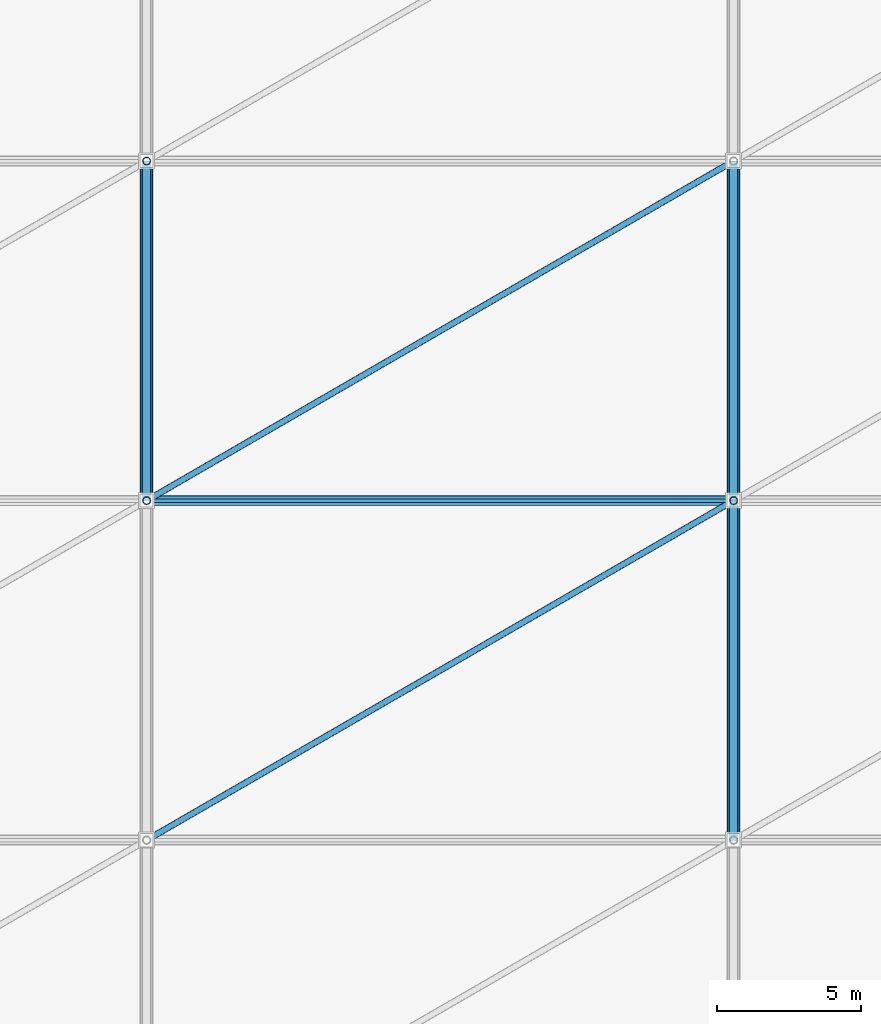
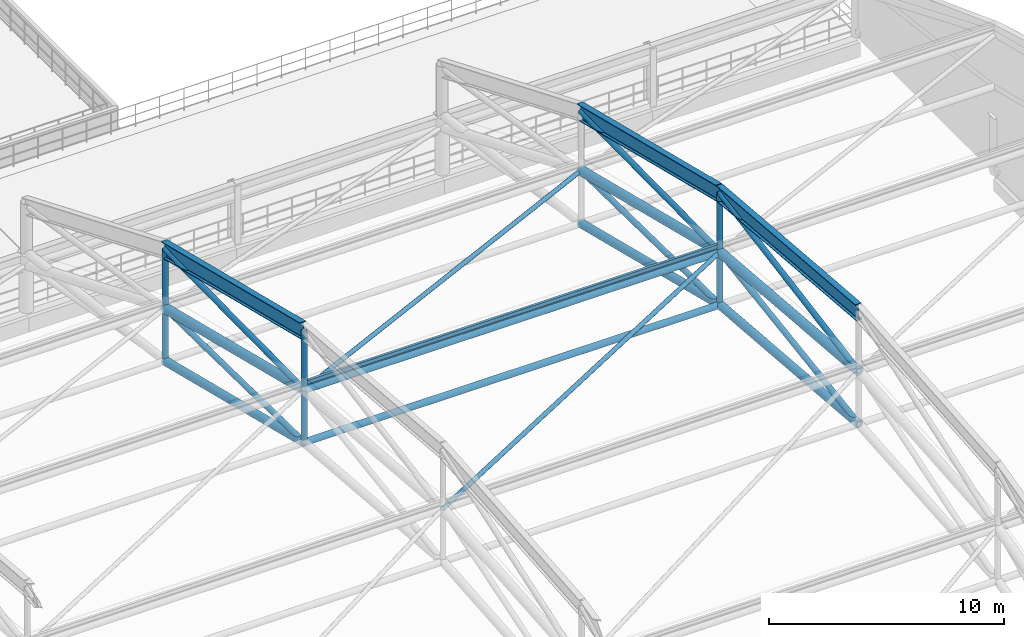
# One storey, part 41 of 135: 23 members, 3 beams.
"""IFC4 building model written with IfcOpenShell, lengths in metres."""

from ifc_helpers import new_model, si_unit, direction, frame, origin, origin_2d, place, context, subcontext, project, spatial, hollow_circle, i_section, extrude, material, material_profile, profile_set, type_object, element, save


model = new_model("IFC4")

# Units and contexts
model_context = context("Model", 3, precision=1e-05, world=origin(), true_north=direction((0.0, 1.0)))
body_context = subcontext(model_context, "Body", "Model", "MODEL_VIEW")
ifc_project = project(units=[si_unit("LENGTHUNIT", "METRE"), si_unit("AREAUNIT", "SQUARE_METRE"), si_unit("VOLUMEUNIT", "CUBIC_METRE"), si_unit("PLANEANGLEUNIT", "RADIAN"), si_unit("MASSUNIT", "GRAM", prefix="KILO")], contexts=[model_context])

# Site, building, storey
site_placement = place(None, origin())
site = spatial("IfcSite", under=ifc_project, at=site_placement, CompositionType="ELEMENT")
building_placement = place(site_placement, origin())
building = spatial("IfcBuilding", under=site, at=building_placement, Name="Brelvane Convention Centre", CompositionType="ELEMENT")
storey_placement = place(building_placement, frame((0.0, 0.0, 15.0)))
storey = spatial("IfcBuildingStorey", under=building, at=storey_placement, Name="L03", CompositionType="ELEMENT", Elevation=15.0)

# Beams
ifc_material_1 = material(Name="Steel E450 (450 MPa)", Category="steel")
ifc_material_profile_1 = material_profile(ifc_material_1, i_section(OverallWidth=0.300048828125, OverallDepth=0.800048828125, WebThickness=0.015380859375, FlangeThickness=0.030029296875, FilletRadius=0.027099609375, at=origin_2d()), Name="NPB 800x300")
ifc_profile_set_1 = profile_set([ifc_material_profile_1], Name="Steel E450 (450 MPa)")
beam_type = type_object("IfcBeamType", Name="Steel Beam B-ST2 (NPB 800x300)", PredefinedType="BEAM", material=ifc_profile_set_1)
beam_1_placement = place(storey_placement, frame((102.0, 76.0, 13.22216796875), z_axis=(0.0, 0.970464083196, -0.241245649134), x_axis=(-1.0, 0.0, 0.0)))
element("IfcBeam", 1, at=beam_1_placement, inside=storey, type_object=beam_type, Name="EXO_EXH Exoskeletal Arch Girder 6.5", PredefinedType="BEAM", context=body_context, shape_type="SweptSolid", body=[
    extrude(i_section(OverallWidth=0.300048828125, OverallDepth=0.800048828125, WebThickness=0.015380859375, FlangeThickness=0.030029296875, FilletRadius=0.027099609375, at=origin_2d()), origin(), (0.0, 0.0, 1.0), 12.1591796875),
])
beam_2_placement = place(storey_placement, frame((122.39990234375, 64.199951171875, 14.199951171875), z_axis=(0.0, 0.996584470208, -0.082579620615), x_axis=(-1.0, 0.0, 0.0)))
element("IfcBeam", 2, at=beam_2_placement, inside=storey, type_object=beam_type, Name="EXO_EXH Exoskeletal Arch Girder 7.4", PredefinedType="BEAM", context=body_context, shape_type="SweptSolid", body=[
    extrude(i_section(OverallWidth=0.300048828125, OverallDepth=0.800048828125, WebThickness=0.015380859375, FlangeThickness=0.030029296875, FilletRadius=0.027099609375, at=origin_2d()), origin(), (0.0, 0.0, 1.0), 11.840576171875),
])
beam_3_placement = place(storey_placement, frame((122.39990234375, 76.0, 13.22216796875), z_axis=(0.0, 0.970464083196, -0.241245649134), x_axis=(-1.0, 0.0, 0.0)))
element("IfcBeam", 3, at=beam_3_placement, inside=storey, type_object=beam_type, Name="EXO_EXH Exoskeletal Arch Girder 7.5", PredefinedType="BEAM", context=body_context, shape_type="SweptSolid", body=[
    extrude(i_section(OverallWidth=0.300048828125, OverallDepth=0.800048828125, WebThickness=0.015380859375, FlangeThickness=0.030029296875, FilletRadius=0.027099609375, at=origin_2d()), origin(), (0.0, 0.0, 1.0), 12.1591796875),
])

# Members
ifc_material_2 = material(Name="Steel E350 (350 MPa)", Category="steel")
ifc_material_profile_2 = material_profile(ifc_material_2, hollow_circle(Radius=0.136474609375, WallThickness=0.012451171875, at=origin_2d()), Name="CHS 273.0x12.5")
ifc_profile_set_2 = profile_set([ifc_material_profile_2], Name="Steel E350 (350 MPa)")
member_type_1 = type_object("IfcMemberType", Name="Steel Brace SF-DG1 (CHS 273.0x12.5)", PredefinedType="BRACE", material=ifc_profile_set_2)
member_1_placement = place(storey_placement, frame((102.0, 76.0, 7.422119140625), z_axis=(0.0, 0.99986610997, -0.016363438913), x_axis=(-1.0, 0.0, 0.0)))
element("IfcMember", 4, at=member_1_placement, inside=storey, type_object=member_type_1, Name="SF_EXH Space-Frame Web Diagonal D6.5", PredefinedType="BRACE", context=body_context, shape_type="SweptSolid", body=[
    extrude(hollow_circle(Radius=0.136474609375, WallThickness=0.012451171875, at=origin_2d()), origin(), (0.0, 0.0, 1.0), 11.801513671875),
])
member_2_placement = place(storey_placement, frame((122.39990234375, 64.199951171875, 8.39990234375), z_axis=(0.0, 0.989032056502, 0.147701019672), x_axis=(-1.0, 0.0, 0.0)))
element("IfcMember", 5, at=member_2_placement, inside=storey, type_object=member_type_1, Name="SF_EXH Space-Frame Web Diagonal D7.4", PredefinedType="BRACE", context=body_context, shape_type="SweptSolid", body=[
    extrude(hollow_circle(Radius=0.136474609375, WallThickness=0.012451171875, at=origin_2d()), origin(), (0.0, 0.0, 1.0), 11.930908203125),
])
member_3_placement = place(storey_placement, frame((122.39990234375, 76.0, 7.422119140625), z_axis=(0.0, 0.99986610997, -0.016363438913), x_axis=(-1.0, 0.0, 0.0)))
element("IfcMember", 6, at=member_3_placement, inside=storey, type_object=member_type_1, Name="SF_EXH Space-Frame Web Diagonal D7.5", PredefinedType="BRACE", context=body_context, shape_type="SweptSolid", body=[
    extrude(hollow_circle(Radius=0.136474609375, WallThickness=0.012451171875, at=origin_2d()), origin(), (0.0, 0.0, 1.0), 11.801513671875),
])
member_4_placement = place(storey_placement, frame((102.0, 76.0, 10.162109375), z_axis=(0.0, 0.999942352609, 0.010737386072), x_axis=(-1.0, 0.0, 0.0)))
element("IfcMember", 7, at=member_4_placement, inside=storey, type_object=member_type_1, Name="EXO_EXH Exoskeletal Arch Web 6.5", PredefinedType="BRACE", context=body_context, shape_type="SweptSolid", body=[
    extrude(hollow_circle(Radius=0.136474609375, WallThickness=0.012451171875, at=origin_2d()), origin(), (0.0, 0.0, 1.0), 11.80078125),
])
member_5_placement = place(storey_placement, frame((122.39990234375, 64.199951171875, 11.139892578125), z_axis=(0.0, 0.984784789498, 0.173778359912), x_axis=(-1.0, 0.0, 0.0)))
element("IfcMember", 8, at=member_5_placement, inside=storey, type_object=member_type_1, Name="EXO_EXH Exoskeletal Arch Web 7.4", PredefinedType="BRACE", context=body_context, shape_type="SweptSolid", body=[
    extrude(hollow_circle(Radius=0.136474609375, WallThickness=0.012451171875, at=origin_2d()), origin(), (0.0, 0.0, 1.0), 11.982421875),
])
member_6_placement = place(storey_placement, frame((122.39990234375, 76.0, 10.162109375), z_axis=(0.0, 0.999942352609, 0.010737386072), x_axis=(-1.0, 0.0, 0.0)))
element("IfcMember", 9, at=member_6_placement, inside=storey, type_object=member_type_1, Name="EXO_EXH Exoskeletal Arch Web 7.5", PredefinedType="BRACE", context=body_context, shape_type="SweptSolid", body=[
    extrude(hollow_circle(Radius=0.136474609375, WallThickness=0.012451171875, at=origin_2d()), origin(), (0.0, 0.0, 1.0), 11.80078125),
])
ifc_material_3 = material(Name="Steel E350 (350 MPa)", Category="steel")
ifc_material_profile_3 = material_profile(ifc_material_3, hollow_circle(Radius=0.109619140625, WallThickness=0.010009765625, at=origin_2d()), Name="CHS 219.1x10.0")
ifc_profile_set_3 = profile_set([ifc_material_profile_3], Name="Steel E350 (350 MPa)")
member_type_2 = type_object("IfcMemberType", Name="Steel Brace SF-DG2 (CHS 219.1x10.0)", PredefinedType="BRACE", material=ifc_profile_set_3)
member_7_placement = place(storey_placement, frame((102.0, 64.199951171875, 11.139892578125), z_axis=(0.864873882245, 0.500274651745, -0.041454078585), x_axis=(-0.500705052683, 0.865617958581, 0.0)))
element("IfcMember", 10, at=member_7_placement, inside=storey, type_object=member_type_2, Name="SF_EXH Roof Diaphragm Brace PB6.4", PredefinedType="BRACE", context=body_context, shape_type="SweptSolid", body=[
    extrude(hollow_circle(Radius=0.109619140625, WallThickness=0.010009765625, at=origin_2d()), origin(), (0.0, 0.0, 1.0), 23.587158203125),
])
member_8_placement = place(storey_placement, frame((102.0, 76.0, 10.162109375), z_axis=(0.85899063749, 0.496871568034, -0.123505990076), x_axis=(-0.500705052683, 0.865617958581, 0.0)))
element("IfcMember", 11, at=member_8_placement, inside=storey, type_object=member_type_2, Name="SF_EXH Roof Diaphragm Brace PB6.5", PredefinedType="BRACE", context=body_context, shape_type="SweptSolid", body=[
    extrude(hollow_circle(Radius=0.109619140625, WallThickness=0.010009765625, at=origin_2d()), origin(), (0.0, 0.0, 1.0), 23.748779296875),
])
ifc_material_4 = material(Name="Steel E450 (450 MPa)", Category="steel")
ifc_material_profile_4 = material_profile(ifc_material_4, hollow_circle(Radius=0.203125, WallThickness=0.01611328125, at=origin_2d()), Name="CHS 406.4x16.0")
ifc_profile_set_4 = profile_set([ifc_material_profile_4], Name="Steel E450 (450 MPa)")
member_type_3 = type_object("IfcMemberType", Name="Steel Chord SF-BC1 (CHS 406.4x16.0)", PredefinedType="CHORD", material=ifc_profile_set_4)
member_9_placement = place(storey_placement, frame((102.0, 76.0, 7.422119140625), z_axis=(0.0, 0.970468783866, -0.241226738861), x_axis=(-1.0, 0.0, 0.0)))
element("IfcMember", 12, at=member_9_placement, inside=storey, type_object=member_type_3, Name="SF_EXH Space-Frame Bottom Chord B6.5", PredefinedType="CHORD", context=body_context, shape_type="SweptSolid", body=[
    extrude(hollow_circle(Radius=0.203125, WallThickness=0.01611328125, at=origin_2d()), origin(), (0.0, 0.0, 1.0), 12.1591796875),
])
member_10_placement = place(storey_placement, frame((122.39990234375, 64.199951171875, 8.39990234375), z_axis=(0.0, 0.996584470208, -0.082579620615), x_axis=(-1.0, 0.0, 0.0)))
element("IfcMember", 13, at=member_10_placement, inside=storey, type_object=member_type_3, Name="SF_EXH Space-Frame Bottom Chord B7.4", PredefinedType="CHORD", context=body_context, shape_type="SweptSolid", body=[
    extrude(hollow_circle(Radius=0.203125, WallThickness=0.01611328125, at=origin_2d()), origin(), (0.0, 0.0, 1.0), 11.840576171875),
])
member_11_placement = place(storey_placement, frame((122.39990234375, 76.0, 7.422119140625), z_axis=(0.0, 0.970468783866, -0.241226738861), x_axis=(-1.0, 0.0, 0.0)))
element("IfcMember", 14, at=member_11_placement, inside=storey, type_object=member_type_3, Name="SF_EXH Space-Frame Bottom Chord B7.5", PredefinedType="CHORD", context=body_context, shape_type="SweptSolid", body=[
    extrude(hollow_circle(Radius=0.203125, WallThickness=0.01611328125, at=origin_2d()), origin(), (0.0, 0.0, 1.0), 12.1591796875),
])
ifc_material_5 = material(Name="Steel E350 (350 MPa)", Category="steel")
ifc_material_profile_5 = material_profile(ifc_material_5, hollow_circle(Radius=0.161865234375, WallThickness=0.012451171875, at=origin_2d()), Name="CHS 323.9x12.5")
ifc_profile_set_5 = profile_set([ifc_material_profile_5], Name="Steel E350 (350 MPa)")
member_type_4 = type_object("IfcMemberType", Name="Steel Chord SF-BC2 (CHS 323.9x12.5)", PredefinedType="CHORD", material=ifc_profile_set_5)
member_12_placement = place(storey_placement, frame((102.0, 76.0, 7.422119140625), z_axis=(1.0, 0.0, 0.0), x_axis=(0.0, 1.0, 0.0)))
element("IfcMember", 15, at=member_12_placement, inside=storey, type_object=member_type_4, Name="SF_EXH Longitudinal Bottom Chord LB6.5", PredefinedType="CHORD", context=body_context, shape_type="SweptSolid", body=[
    extrude(hollow_circle(Radius=0.161865234375, WallThickness=0.012451171875, at=origin_2d()), origin(), (0.0, 0.0, 1.0), 20.39990234375),
])
ifc_material_6 = material(Name="Steel E450 (450 MPa)", Category="steel")
ifc_material_profile_6 = material_profile(ifc_material_6, hollow_circle(Radius=0.228515625, WallThickness=0.02001953125, at=origin_2d()), Name="CHS 457.0x20.0")
ifc_profile_set_6 = profile_set([ifc_material_profile_6], Name="Steel E450 (450 MPa)")
member_type_5 = type_object("IfcMemberType", Name="Steel Chord SF-TC1 (CHS 457.0x20.0)", PredefinedType="CHORD", material=ifc_profile_set_6)
member_13_placement = place(storey_placement, frame((102.0, 76.0, 10.162109375), z_axis=(0.0, 0.970468783866, -0.241226738861), x_axis=(-1.0, 0.0, 0.0)))
element("IfcMember", 16, at=member_13_placement, inside=storey, type_object=member_type_5, Name="SF_EXH Space-Frame Top Chord T6.5", PredefinedType="CHORD", context=body_context, shape_type="SweptSolid", body=[
    extrude(hollow_circle(Radius=0.228515625, WallThickness=0.02001953125, at=origin_2d()), origin(), (0.0, 0.0, 1.0), 12.1591796875),
])
member_14_placement = place(storey_placement, frame((122.39990234375, 64.199951171875, 11.139892578125), z_axis=(0.0, 0.996584470208, -0.082579620615), x_axis=(-1.0, 0.0, 0.0)))
element("IfcMember", 17, at=member_14_placement, inside=storey, type_object=member_type_5, Name="SF_EXH Space-Frame Top Chord T7.4", PredefinedType="CHORD", context=body_context, shape_type="SweptSolid", body=[
    extrude(hollow_circle(Radius=0.228515625, WallThickness=0.02001953125, at=origin_2d()), origin(), (0.0, 0.0, 1.0), 11.840576171875),
])
member_15_placement = place(storey_placement, frame((122.39990234375, 76.0, 10.162109375), z_axis=(0.0, 0.970468783866, -0.241226738861), x_axis=(-1.0, 0.0, 0.0)))
element("IfcMember", 18, at=member_15_placement, inside=storey, type_object=member_type_5, Name="SF_EXH Space-Frame Top Chord T7.5", PredefinedType="CHORD", context=body_context, shape_type="SweptSolid", body=[
    extrude(hollow_circle(Radius=0.228515625, WallThickness=0.02001953125, at=origin_2d()), origin(), (0.0, 0.0, 1.0), 12.1591796875),
])
ifc_material_7 = material(Name="Steel E450 (450 MPa)", Category="steel")
ifc_material_profile_7 = material_profile(ifc_material_7, hollow_circle(Radius=0.177734375, WallThickness=0.01611328125, at=origin_2d()), Name="CHS 355.6x16.0")
ifc_profile_set_7 = profile_set([ifc_material_profile_7], Name="Steel E450 (450 MPa)")
member_type_6 = type_object("IfcMemberType", Name="Steel Chord SF-TC2 (CHS 355.6x16.0)", PredefinedType="CHORD", material=ifc_profile_set_7)
member_16_placement = place(storey_placement, frame((102.0, 76.0, 10.162109375), z_axis=(1.0, 0.0, 0.0), x_axis=(0.0, 1.0, 0.0)))
element("IfcMember", 19, at=member_16_placement, inside=storey, type_object=member_type_6, Name="SF_EXH Longitudinal Top Chord LT6.5", PredefinedType="CHORD", context=body_context, shape_type="SweptSolid", body=[
    extrude(hollow_circle(Radius=0.177734375, WallThickness=0.01611328125, at=origin_2d()), origin(), (0.0, 0.0, 1.0), 20.39990234375),
])
ifc_material_8 = material(Name="Steel E350 (350 MPa)", Category="steel")
ifc_material_profile_8 = material_profile(ifc_material_8, i_section(OverallWidth=0.125, OverallDepth=0.25, WebThickness=0.0068359375, FlangeThickness=0.012451171875, FilletRadius=0.012939453125, at=origin_2d()), Name="ISMB 250")
ifc_profile_set_8 = profile_set([ifc_material_profile_8], Name="Steel E350 (350 MPa)")
member_type_7 = type_object("IfcMemberType", Name="Steel Purlin PR-ST1 (ISMB 250)", PredefinedType="PURLIN", material=ifc_profile_set_8)
member_17_placement = place(storey_placement, frame((102.0, 76.0, 10.497314453125), z_axis=(1.0, 0.0, 0.0), x_axis=(0.0, 1.0, 0.0)))
element("IfcMember", 20, at=member_17_placement, inside=storey, type_object=member_type_7, Name="SF_EXH Roof Purlin P6.5", PredefinedType="PURLIN", context=body_context, shape_type="SweptSolid", body=[
    extrude(i_section(OverallWidth=0.125, OverallDepth=0.25, WebThickness=0.0068359375, FlangeThickness=0.012451171875, FilletRadius=0.012939453125, at=origin_2d()), origin(), (0.0, 0.0, 1.0), 20.39990234375),
])
ifc_material_9 = material(Name="Steel E350 (350 MPa)", Category="steel")
ifc_material_profile_9 = material_profile(ifc_material_9, hollow_circle(Radius=0.136474609375, WallThickness=0.012451171875, at=origin_2d()), Name="CHS 273.0x12.5")
ifc_profile_set_9 = profile_set([ifc_material_profile_9], Name="Steel E350 (350 MPa)")
member_type_8 = type_object("IfcMemberType", Name="Steel Strut SF-VT1 (CHS 273.0x12.5)", PredefinedType="STRUT", material=ifc_profile_set_9)
for number, where, z_axis, x_axis, name in (
    (21, (102.0, 76.0, 7.422119140625), (0.0, 0.0, 1.0), (1.0, 0.0, 0.0), "SF_EXH Space-Frame Post V6.4"),
    (22, (102.0, 87.800048828125, 4.489013671875), (0.0, 0.0, 1.0), (1.0, 0.0, 0.0), "SF_EXH Space-Frame Post V6.5"),
    (23, (122.39990234375, 76.0, 7.422119140625), (0.0, 0.0, 1.0), (1.0, 0.0, 0.0), "SF_EXH Space-Frame Post V7.4"),
):
    element("IfcMember", number, at=place(storey_placement, frame(where, z_axis=z_axis, x_axis=x_axis)), inside=storey, type_object=member_type_8, Name=name, PredefinedType="STRUT", context=body_context, shape_type="SweptSolid", body=[
        extrude(hollow_circle(Radius=0.136474609375, WallThickness=0.012451171875, at=origin_2d()), origin(), (0.0, 0.0, 1.0), 2.739990234375),
    ])
member_18_placement = place(storey_placement, frame((102.0, 76.0, 10.162109375), z_axis=(0.0, 0.0, 1.0), x_axis=(1.0, 0.0, 0.0)))
element("IfcMember", 24, at=member_18_placement, inside=storey, type_object=member_type_8, Name="EXO_EXH Roof Suspension Hanger 6.4", PredefinedType="STRUT", context=body_context, shape_type="SweptSolid", body=[
    extrude(hollow_circle(Radius=0.136474609375, WallThickness=0.012451171875, at=origin_2d()), origin(), (0.0, 0.0, 1.0), 3.06005859375),
])
member_19_placement = place(storey_placement, frame((102.0, 87.800048828125, 7.22900390625), z_axis=(0.0, 0.0, 1.0), x_axis=(1.0, 0.0, 0.0)))
element("IfcMember", 25, at=member_19_placement, inside=storey, type_object=member_type_8, Name="EXO_EXH Roof Suspension Hanger 6.5", PredefinedType="STRUT", context=body_context, shape_type="SweptSolid", body=[
    extrude(hollow_circle(Radius=0.136474609375, WallThickness=0.012451171875, at=origin_2d()), origin(), (0.0, 0.0, 1.0), 3.059814453125),
])
member_20_placement = place(storey_placement, frame((122.39990234375, 76.0, 10.162109375), z_axis=(0.0, 0.0, 1.0), x_axis=(1.0, 0.0, 0.0)))
element("IfcMember", 26, at=member_20_placement, inside=storey, type_object=member_type_8, Name="EXO_EXH Roof Suspension Hanger 7.4", PredefinedType="STRUT", context=body_context, shape_type="SweptSolid", body=[
    extrude(hollow_circle(Radius=0.136474609375, WallThickness=0.012451171875, at=origin_2d()), origin(), (0.0, 0.0, 1.0), 3.06005859375),
])

save(model, "model.ifc")
